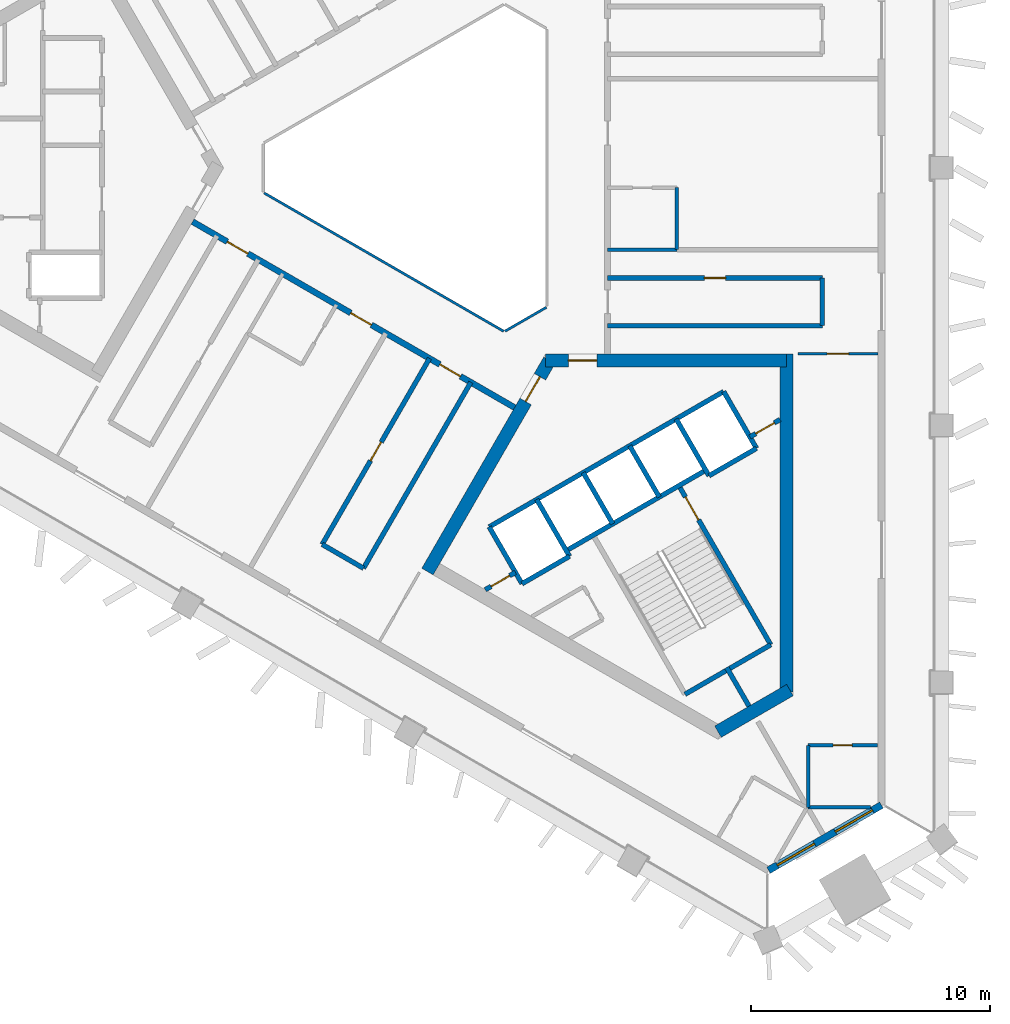
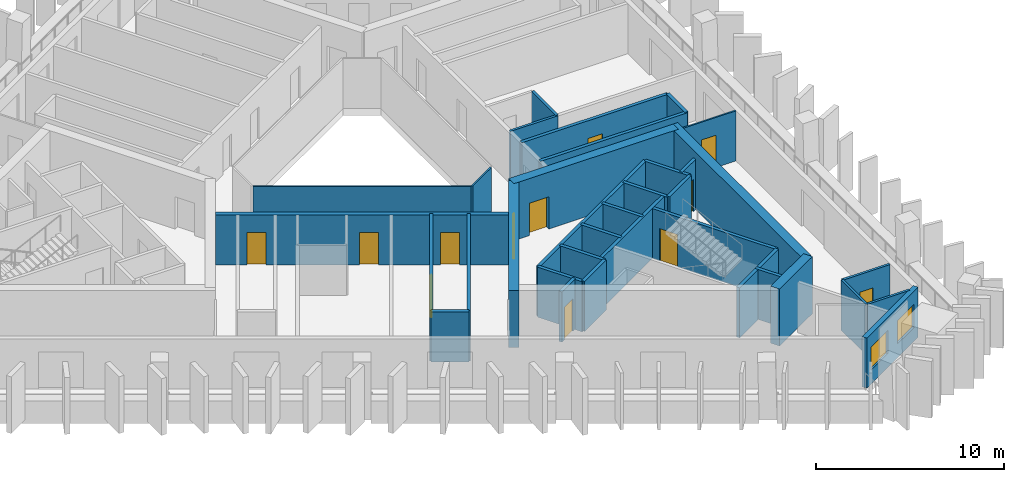
# One storey, part 3 of 10: 35 walls, 12 doors, 2 windows, 14 openings.
"""IFC4 building model written with IfcOpenShell, lengths in metres."""

from ifc_helpers import new_model, si_unit, direction, frame, frame_2d, origin, place, context, subcontext, project, spatial, rectangle, extrude, material, layer, layer_set, type_object, element, fill, save


model = new_model("IFC4")

# Units and contexts
model_context = context("Model", 3, precision=1e-05, world=origin(), true_north=direction((0.0, 1.0)))
body_context = subcontext(model_context, "Body", "Model", "MODEL_VIEW")
ifc_project = project(units=[si_unit("LENGTHUNIT", "METRE"), si_unit("AREAUNIT", "SQUARE_METRE"), si_unit("VOLUMEUNIT", "CUBIC_METRE"), si_unit("PLANEANGLEUNIT", "RADIAN"), si_unit("MASSUNIT", "GRAM", prefix="KILO")], contexts=[model_context])

# Site, building, storey
site_placement = place(None, origin())
site = spatial("IfcSite", under=ifc_project, at=site_placement, CompositionType="ELEMENT")
building_placement = place(site_placement, origin())
building = spatial("IfcBuilding", under=site, at=building_placement, Name="Jabali Bay Hotel Tower and Convention Centre", CompositionType="ELEMENT")
storey_placement = place(building_placement, frame((0.0, 0.0, 174.800048828125)))
storey = spatial("IfcBuildingStorey", under=building, at=storey_placement, Name="L42", CompositionType="ELEMENT", Elevation=174.800048828125)

# Walls
ifc_material_1 = material(Name="Fire-resistant glazing", Category="glass")
ifc_layer_1 = layer(ifc_material_1, 0.10009765625)
ifc_layer_set_1 = layer_set([ifc_layer_1], Name="Fire-resistant glazing")
wall_type_1 = type_object("IfcWallType", Name="Atrium glazed screen 100", PredefinedType="PARTITIONING", material=ifc_layer_set_1)
wall_1_placement = place(storey_placement, frame((67.7021484375, 78.947998046875, 0.0), z_axis=(0.0, 0.0, 1.0), x_axis=(0.866026658274, -0.499997827154, 0.0)))
element("IfcWall", 1, at=wall_1_placement, inside=storey, type_object=wall_type_1, Name="Atrium screen 5 L42", PredefinedType="PARTITIONING", context=body_context, shape_type="SweptSolid", body=[
    extrude(rectangle(XDim=11.58837890625, YDim=0.10009765625, at=frame_2d((5.794189453125, 0.0))), origin(), (0.0, 0.0, 1.0), 3.25),
])
wall_2_placement = place(storey_placement, frame((77.7978515625, 73.15380859375, 0.0), z_axis=(0.0, 0.0, 1.0), x_axis=(0.866041268327, 0.499972520799, 0.0)))
element("IfcWall", 2, at=wall_2_placement, inside=storey, type_object=wall_type_1, Name="Atrium screen 6 L42", PredefinedType="PARTITIONING", context=body_context, shape_type="SweptSolid", body=[
    extrude(rectangle(XDim=2.0, YDim=0.10009765625, at=frame_2d((1.0, 0.0))), origin(), (0.0, 0.0, 1.0), 3.25),
])
ifc_material_2 = material(Name="Concrete C40", Category="concrete")
ifc_layer_2 = layer(ifc_material_2, 0.199951171875)
ifc_layer_set_2 = layer_set([ifc_layer_2], Name="Concrete C40")
wall_type_2 = type_object("IfcWallType", Name="Core partition wall 200", PredefinedType="PARTITIONING", material=ifc_layer_set_2)
wall_3_placement = place(storey_placement, frame((87.090087890625, 59.0595703125, 0.0), z_axis=(0.0, 0.0, 1.0), x_axis=(0.499951854219, -0.86605319898, 0.0)))
element("IfcWall", 3, at=wall_3_placement, inside=storey, type_object=wall_type_2, Name="Core wall 2.5 L42", PredefinedType="PARTITIONING", context=body_context, shape_type="SweptSolid", body=[
    extrude(rectangle(XDim=1.873291015625, YDim=0.199951171875, at=frame_2d((0.9365234375, 0.0))), origin(), (0.0, 0.0, 1.0), 3.25),
])

# Wall, opening, door
wall_4_placement = place(storey_placement, frame((76.969970703125, 62.315673828125, 0.0), z_axis=(0.0, 0.0, 1.0), x_axis=(0.865982457891, 0.500074377092, 0.0)))
wall_4 = element("IfcWall", 4, at=wall_4_placement, inside=storey, type_object=wall_type_2, Name="Core wall 2.11 L42", PredefinedType="PARTITIONING", context=body_context, shape_type="SweptSolid", body=[
    extrude(rectangle(XDim=1.461181640625, YDim=0.199951171875, at=frame_2d((0.73046875, 0.0))), origin(), (0.0, 0.0, 1.0), 3.25),
])
opening_1_placement = place(wall_4_placement, frame((0.280517578125, 0.0, 0.0)))
opening_1 = element("IfcOpeningElement", 5, at=opening_1_placement, cuts=wall_4, Name="Opening D923", PredefinedType="OPENING", context=body_context, shape_type="SweptSolid", body=[
    extrude(rectangle(XDim=0.89990234375, YDim=2.10009765625, at=frame_2d((0.449951171875, 1.050048828125))), frame((0.0, 0.1103515625, 0.0), z_axis=(0.0, -1.0, 0.0), x_axis=(1.0, 0.0, 0.0)), (0.0, 0.0, 1.0), 0.220947265625),
])
ifc_material_3 = material(Name="Fire-rated steel door", Category="steel")
door_type_1 = type_object("IfcDoorType", Name="Vestibule fire door 900 x 2100", OperationType="NOTDEFINED", PredefinedType="NOTDEFINED", material=ifc_material_3)
door_1_placement = place(opening_1_placement, origin())
door_1 = element("IfcDoor", 6, at=door_1_placement, inside=storey, type_object=door_type_1, Name="Vestibule fire door D923", OperationType="SINGLE_SWING_LEFT", OverallHeight=2.10009765625, OverallWidth=0.89990234375, PredefinedType="NOTDEFINED", context=body_context, shape_type="SweptSolid", body=[
    extrude(rectangle(XDim=0.89990234375, YDim=2.10009765625, at=frame_2d((0.449951171875, 1.050048828125))), frame((0.0, 0.02490234375, 0.0), z_axis=(0.0, -1.0, 0.0), x_axis=(1.0, 0.0, 0.0)), (0.0, 0.0, 1.0), 0.050048828125),
])
fill(opening_1, door_1)

wall_5_placement = place(storey_placement, frame((88.064697265625, 68.72119140625, 0.0), z_axis=(0.0, 0.0, 1.0), x_axis=(0.865982457891, 0.500074377092, 0.0)))
wall_5 = element("IfcWall", 7, at=wall_5_placement, inside=storey, type_object=wall_type_2, Name="Core wall 2.12 L42", PredefinedType="PARTITIONING", context=body_context, shape_type="SweptSolid", body=[
    extrude(rectangle(XDim=1.461181640625, YDim=0.199951171875, at=frame_2d((0.73046875, 0.0))), origin(), (0.0, 0.0, 1.0), 3.25),
])
opening_2_placement = place(wall_5_placement, frame((0.280517578125, 0.0, 0.0)))
opening_2 = element("IfcOpeningElement", 8, at=opening_2_placement, cuts=wall_5, Name="Opening D922", PredefinedType="OPENING", context=body_context, shape_type="SweptSolid", body=[
    extrude(rectangle(XDim=0.89990234375, YDim=2.10009765625, at=frame_2d((0.449951171875, 1.050048828125))), frame((0.0, 0.1103515625, 0.0), z_axis=(0.0, -1.0, 0.0), x_axis=(1.0, 0.0, 0.0)), (0.0, 0.0, 1.0), 0.220947265625),
])
door_2_placement = place(opening_2_placement, origin())
door_2 = element("IfcDoor", 9, at=door_2_placement, inside=storey, type_object=door_type_1, Name="Vestibule fire door D922", OperationType="SINGLE_SWING_LEFT", OverallHeight=2.10009765625, OverallWidth=0.89990234375, PredefinedType="NOTDEFINED", context=body_context, shape_type="SweptSolid", body=[
    extrude(rectangle(XDim=0.89990234375, YDim=2.10009765625, at=frame_2d((0.449951171875, 1.050048828125))), frame((0.0, 0.02490234375, 0.0), z_axis=(0.0, -1.0, 0.0), x_axis=(1.0, 0.0, 0.0)), (0.0, 0.0, 1.0), 0.050048828125),
])
fill(opening_2, door_2)

# Walls
ifc_layer_3 = layer(ifc_material_2, 0.199951171875)
ifc_layer_set_3 = layer_set([ifc_layer_3], Name="Concrete C40")
wall_type_3 = type_object("IfcWallType", Name="Core stair wall 200", PredefinedType="SOLIDWALL", material=ifc_layer_set_3)
for number, where, z_axis, x_axis, name in (
    (10, (77.13525390625, 64.95166015625, 0.0), (0.0, 0.0, 1.0), (0.499996545922, -0.866027397988, 0.0), "Core wall 2.0 L42"),
    (11, (79.127197265625, 66.1015625, 0.0), (0.0, 0.0, 1.0), (0.499996545922, -0.866027397988, 0.0), "Core wall 2.2 L42"),
):
    element("IfcWall", number, at=place(storey_placement, frame(where, z_axis=z_axis, x_axis=x_axis)), inside=storey, type_object=wall_type_3, Name=name, PredefinedType="SOLIDWALL", context=body_context, shape_type="SweptSolid", body=[
        extrude(rectangle(XDim=2.75, YDim=0.199951171875, at=frame_2d((1.375, 0.0))), origin(), (0.0, 0.0, 1.0), 3.25),
    ])
for number, where, z_axis, x_axis, name in (
    (12, (81.07568359375, 67.2265625, 0.0), (0.0, 0.0, 1.0), (0.50000366821, -0.866023285932, 0.0), "Core wall 2.4 L42"),
    (13, (83.024169921875, 68.3515625, 0.0), (0.0, 0.0, 1.0), (0.50000366821, -0.866023285932, 0.0), "Core wall 2.6 L42"),
):
    element("IfcWall", number, at=place(storey_placement, frame(where, z_axis=z_axis, x_axis=x_axis)), inside=storey, type_object=wall_type_3, Name=name, PredefinedType="SOLIDWALL", context=body_context, shape_type="SweptSolid", body=[
        extrude(rectangle(XDim=2.47998046875, YDim=0.199951171875, at=frame_2d((1.239990234375, 0.0))), origin(), (0.0, 0.0, 1.0), 3.25),
    ])

# Wall, opening, door
wall_6_placement = place(storey_placement, frame((85.0869140625, 66.6787109375, 0.0), z_axis=(0.0, 0.0, 1.0), x_axis=(0.500019787375, -0.866013979237, 0.0)))
wall_6 = element("IfcWall", 14, at=wall_6_placement, inside=storey, type_object=wall_type_3, Name="Core wall 2.7 L42", PredefinedType="SOLIDWALL", context=body_context, shape_type="SweptSolid", body=[
    extrude(rectangle(XDim=7.699951171875, YDim=0.199951171875, at=frame_2d((3.85009765625, 0.0))), origin(), (0.0, 0.0, 1.0), 3.25),
])
opening_3_placement = place(wall_6_placement, frame((0.550048828125, 0.0, 0.0)))
opening_3 = element("IfcOpeningElement", 15, at=opening_3_placement, cuts=wall_6, Name="Opening D924", PredefinedType="OPENING", context=body_context, shape_type="SweptSolid", body=[
    extrude(rectangle(XDim=1.10009765625, YDim=2.10009765625, at=frame_2d((0.550048828125, 1.050048828125))), frame((0.0, 0.1103515625, 0.0), z_axis=(0.0, -1.0, 0.0), x_axis=(1.0, 0.0, 0.0)), (0.0, 0.0, 1.0), 0.220947265625),
])
door_type_2 = type_object("IfcDoorType", Name="Stair fire door 1100 x 2100", OperationType="NOTDEFINED", PredefinedType="NOTDEFINED", material=ifc_material_3)
door_3_placement = place(opening_3_placement, origin())
door_3 = element("IfcDoor", 16, at=door_3_placement, inside=storey, type_object=door_type_2, Name="Stair fire door D924", OperationType="SINGLE_SWING_RIGHT", OverallHeight=2.10009765625, OverallWidth=1.10009765625, PredefinedType="NOTDEFINED", context=body_context, shape_type="SweptSolid", body=[
    extrude(rectangle(XDim=1.10009765625, YDim=2.10009765625, at=frame_2d((0.550048828125, 1.050048828125))), frame((0.0, 0.02490234375, 0.0), z_axis=(0.0, -1.0, 0.0), x_axis=(1.0, 0.0, 0.0)), (0.0, 0.0, 1.0), 0.050048828125),
])
fill(opening_3, door_3)

# Walls
for number, where, z_axis, x_axis, name in (
    (17, (84.972900390625, 69.4765625, 0.0), (0.0, 0.0, 1.0), (0.499996545922, -0.866027397988, 0.0), "Core wall 2.8 L42"),
    (18, (86.964599609375, 70.62646484375, 0.0), (0.0, 0.0, 1.0), (0.499996545922, -0.866027397988, 0.0), "Core wall 2.9 L42"),
):
    element("IfcWall", number, at=place(storey_placement, frame(where, z_axis=z_axis, x_axis=x_axis)), inside=storey, type_object=wall_type_3, Name=name, PredefinedType="SOLIDWALL", context=body_context, shape_type="SweptSolid", body=[
        extrude(rectangle(XDim=2.75, YDim=0.199951171875, at=frame_2d((1.375, 0.0))), origin(), (0.0, 0.0, 1.0), 3.25),
    ])
wall_7_placement = place(storey_placement, frame((77.13525390625, 64.95166015625, 0.0), z_axis=(0.0, 0.0, 1.0), x_axis=(0.866031916153, 0.499988720078, 0.0)))
element("IfcWall", 19, at=wall_7_placement, inside=storey, type_object=wall_type_3, Name="Core wall 2.10 L42", PredefinedType="SOLIDWALL", context=body_context, shape_type="SweptSolid", body=[
    extrude(rectangle(XDim=11.349853515625, YDim=0.199951171875, at=frame_2d((5.6748046875, 0.0))), origin(), (0.0, 0.0, 1.0), 3.25),
])
wall_8_placement = place(storey_placement, frame((80.3671875, 63.953857421875, 0.0), z_axis=(0.0, 0.0, 1.0), x_axis=(0.866026575979, 0.499997969693, 0.0)))
element("IfcWall", 20, at=wall_8_placement, inside=storey, type_object=wall_type_3, Name="Core wall 2.13 L42", PredefinedType="SOLIDWALL", context=body_context, shape_type="SweptSolid", body=[
    extrude(rectangle(XDim=6.75, YDim=0.199951171875, at=frame_2d((3.375, 0.0))), origin(), (0.0, 0.0, 1.0), 3.25),
])
wall_9_placement = place(storey_placement, frame((78.51025390625, 62.570068359375, 0.0), z_axis=(0.0, 0.0, 1.0), x_axis=(0.866053019151, 0.499952165731, 0.0)))
element("IfcWall", 21, at=wall_9_placement, inside=storey, type_object=wall_type_3, Name="Core wall 2.14 L42", PredefinedType="SOLIDWALL", context=body_context, shape_type="SweptSolid", body=[
    extrude(rectangle(XDim=2.300048828125, YDim=0.199951171875, at=frame_2d((1.14990234375, 0.0))), origin(), (0.0, 0.0, 1.0), 3.25),
])
wall_10_placement = place(storey_placement, frame((86.347900390625, 67.094970703125, 0.0), z_axis=(0.0, 0.0, 1.0), x_axis=(0.86602648383, 0.499998129301, 0.0)))
element("IfcWall", 22, at=wall_10_placement, inside=storey, type_object=wall_type_3, Name="Core wall 2.15 L42", PredefinedType="SOLIDWALL", context=body_context, shape_type="SweptSolid", body=[
    extrude(rectangle(XDim=2.2998046875, YDim=0.199951171875, at=frame_2d((1.14990234375, 0.0))), origin(), (0.0, 0.0, 1.0), 3.25),
])
wall_11_placement = place(storey_placement, frame((85.343017578125, 57.935302734375, 0.0), z_axis=(0.0, 0.0, 1.0), x_axis=(0.866004344652, 0.500036473714, 0.0)))
element("IfcWall", 23, at=wall_11_placement, inside=storey, type_object=wall_type_3, Name="Core wall 2.18 L42", PredefinedType="SOLIDWALL", context=body_context, shape_type="SweptSolid", body=[
    extrude(rectangle(XDim=4.150146484375, YDim=0.199951171875, at=frame_2d((2.0751953125, 0.0))), origin(), (0.0, 0.0, 1.0), 3.25),
])

# Wall, opening, door
ifc_material_4 = material(Name="Concrete C60", Category="concrete")
ifc_layer_4 = layer(ifc_material_4, 0.550048828125)
ifc_layer_set_4 = layer_set([ifc_layer_4], Name="Concrete C60")
wall_type_4 = type_object("IfcWallType", Name="Core wall 550", PredefinedType="SHEAR", material=ifc_layer_set_4)
wall_12_placement = place(storey_placement, frame((79.65869140625, 71.9306640625, 0.0), z_axis=(0.0, 0.0, 1.0), x_axis=(-0.500000202252, -0.866025287014, 0.0)))
wall_12 = element("IfcWall", 24, at=wall_12_placement, inside=storey, type_object=wall_type_4, Name="Core wall 3.1 L42", PredefinedType="SHEAR", context=body_context, shape_type="SweptSolid", body=[
    extrude(rectangle(XDim=10.22119140625, YDim=0.550048828125, at=frame_2d((5.110595703125, 0.0))), origin(), (0.0, 0.0, 1.0), 3.699951171875),
])
opening_4_placement = place(wall_12_placement, frame((0.791259765625, 0.0, 0.0)))
opening_4 = element("IfcOpeningElement", 25, at=opening_4_placement, cuts=wall_12, Name="Opening D920", PredefinedType="OPENING", context=body_context, shape_type="SweptSolid", body=[
    extrude(rectangle(XDim=1.199951171875, YDim=2.10009765625, at=frame_2d((0.60009765625, 1.050048828125))), frame((0.0, 0.28564453125, 0.0), z_axis=(0.0, -1.0, 0.0), x_axis=(1.0, 0.0, 0.0)), (0.0, 0.0, 1.0), 0.571044921875),
])
door_type_3 = type_object("IfcDoorType", Name="Corridor end fire door 1200 x 2100", OperationType="NOTDEFINED", PredefinedType="NOTDEFINED", material=ifc_material_3)
door_4_placement = place(opening_4_placement, origin())
door_4 = element("IfcDoor", 26, at=door_4_placement, inside=storey, type_object=door_type_3, Name="Corridor end fire door D920", OperationType="SINGLE_SWING_RIGHT", OverallHeight=2.10009765625, OverallWidth=1.199951171875, PredefinedType="NOTDEFINED", context=body_context, shape_type="SweptSolid", body=[
    extrude(rectangle(XDim=1.199951171875, YDim=2.10009765625, at=frame_2d((0.60009765625, 1.050048828125))), frame((0.0, 0.02490234375, 0.0), z_axis=(0.0, -1.0, 0.0), x_axis=(1.0, 0.0, 0.0)), (0.0, 0.0, 1.0), 0.050048828125),
])
fill(opening_4, door_4)

# Walls
wall_13_placement = place(storey_placement, frame((86.72314453125, 56.3671875, 0.0), z_axis=(0.0, 0.0, 1.0), x_axis=(0.865997833373, 0.500047750313, 0.0)))
element("IfcWall", 27, at=wall_13_placement, inside=storey, type_object=wall_type_4, Name="Core wall 3.3 L42", PredefinedType="SHEAR", context=body_context, shape_type="SweptSolid", body=[
    extrude(rectangle(XDim=3.486572265625, YDim=0.550048828125, at=frame_2d((1.7431640625, 0.0))), origin(), (0.0, 0.0, 1.0), 3.699951171875),
])
wall_14_placement = place(storey_placement, frame((89.60498046875, 58.03125, 0.0), z_axis=(0.0, 0.0, 1.0), x_axis=(0.0, 1.0, 0.0)))
element("IfcWall", 28, at=wall_14_placement, inside=storey, type_object=wall_type_4, Name="Core wall 3.4 L42", PredefinedType="SHEAR", context=body_context, shape_type="SweptSolid", body=[
    extrude(rectangle(XDim=14.174560546875, YDim=0.550048828125, at=frame_2d((7.08740234375, 0.0))), origin(), (0.0, 0.0, 1.0), 3.699951171875),
])

# Wall, opening, door
wall_15_placement = place(storey_placement, frame((89.60498046875, 71.9306640625, 0.0), z_axis=(0.0, 0.0, 1.0), x_axis=(-1.0, 0.0, 0.0)))
wall_15 = element("IfcWall", 29, at=wall_15_placement, inside=storey, type_object=wall_type_4, Name="Core wall 3.5 L42", PredefinedType="SHEAR", context=body_context, shape_type="SweptSolid", body=[
    extrude(rectangle(XDim=10.10498046875, YDim=0.550048828125, at=frame_2d((5.052490234375, 0.0))), origin(), (0.0, 0.0, 1.0), 3.699951171875),
])
opening_5_placement = place(wall_15_placement, frame((7.955078125, 0.0, 0.0)))
opening_5 = element("IfcOpeningElement", 30, at=opening_5_placement, cuts=wall_15, Name="Opening D921", PredefinedType="OPENING", context=body_context, shape_type="SweptSolid", body=[
    extrude(rectangle(XDim=1.199951171875, YDim=2.10009765625, at=frame_2d((0.60009765625, 1.050048828125))), frame((0.0, 0.28564453125, 0.0), z_axis=(0.0, -1.0, 0.0), x_axis=(1.0, 0.0, 0.0)), (0.0, 0.0, 1.0), 0.571044921875),
])
door_5_placement = place(opening_5_placement, origin())
door_5 = element("IfcDoor", 31, at=door_5_placement, inside=storey, type_object=door_type_3, Name="Corridor end fire door D921", OperationType="SINGLE_SWING_LEFT", OverallHeight=2.10009765625, OverallWidth=1.199951171875, PredefinedType="NOTDEFINED", context=body_context, shape_type="SweptSolid", body=[
    extrude(rectangle(XDim=1.199951171875, YDim=2.10009765625, at=frame_2d((0.60009765625, 1.050048828125))), frame((0.0, 0.02490234375, 0.0), z_axis=(0.0, -1.0, 0.0), x_axis=(1.0, 0.0, 0.0)), (0.0, 0.0, 1.0), 0.050048828125),
])
fill(opening_5, door_5)

# Wall, openings, doors
ifc_layer_5 = layer(ifc_material_4, 0.25)
ifc_layer_set_5 = layer_set([ifc_layer_5], Name="Concrete C60")
wall_type_5 = type_object("IfcWallType", Name="Corridor wall 250", PredefinedType="SHEAR", material=ifc_layer_set_5)
wall_16_placement = place(storey_placement, frame((64.699951171875, 77.748291015625, 0.0), z_axis=(0.0, 0.0, 1.0), x_axis=(0.866026492143, -0.499998114903, 0.0)))
wall_16 = element("IfcWall", 32, at=wall_16_placement, inside=storey, type_object=wall_type_5, Name="Corridor wall 3 L42", PredefinedType="SHEAR", context=body_context, shape_type="SweptSolid", body=[
    extrude(rectangle(XDim=15.58837890625, YDim=0.25, at=frame_2d((7.794189453125, 0.0))), origin(), (0.0, 0.0, 1.0), 3.25),
])
opening_6_placement = place(wall_16_placement, frame((1.682373046875, 0.0, 0.0)))
opening_6 = element("IfcOpeningElement", 33, at=opening_6_placement, cuts=wall_16, Name="Opening 4221", PredefinedType="OPENING", context=body_context, shape_type="SweptSolid", body=[
    extrude(rectangle(XDim=1.0, YDim=2.10009765625, at=frame_2d((0.5, 1.050048828125))), frame((0.0, 0.135498046875, 0.0), z_axis=(0.0, -1.0, 0.0), x_axis=(1.0, 0.0, 0.0)), (0.0, 0.0, 1.0), 0.27099609375),
])
opening_7_placement = place(wall_16_placement, frame((7.658935546875, 0.0, 0.0)))
opening_7 = element("IfcOpeningElement", 34, at=opening_7_placement, cuts=wall_16, Name="Opening 4226", PredefinedType="OPENING", context=body_context, shape_type="SweptSolid", body=[
    extrude(rectangle(XDim=1.0, YDim=2.10009765625, at=frame_2d((0.5, 1.050048828125))), frame((0.0, 0.135498046875, 0.0), z_axis=(0.0, -1.0, 0.0), x_axis=(1.0, 0.0, 0.0)), (0.0, 0.0, 1.0), 0.27099609375),
])
opening_8_placement = place(wall_16_placement, frame((11.970703125, 0.0, 0.0)))
opening_8 = element("IfcOpeningElement", 35, at=opening_8_placement, cuts=wall_16, Name="Opening 4227", PredefinedType="OPENING", context=body_context, shape_type="SweptSolid", body=[
    extrude(rectangle(XDim=1.0, YDim=2.10009765625, at=frame_2d((0.5, 1.050048828125))), frame((0.0, 0.135498046875, 0.0), z_axis=(0.0, -1.0, 0.0), x_axis=(1.0, 0.0, 0.0)), (0.0, 0.0, 1.0), 0.27099609375),
])
ifc_material_5 = material(Name="Timber", Category="wood")
door_type_4 = type_object("IfcDoorType", Name="Guest room door 1000 x 2100", OperationType="NOTDEFINED", PredefinedType="NOTDEFINED", material=ifc_material_5)
door_6_placement = place(opening_6_placement, origin())
door_6 = element("IfcDoor", 36, at=door_6_placement, inside=storey, type_object=door_type_4, Name="Door 4221", OperationType="SINGLE_SWING_LEFT", OverallHeight=2.10009765625, OverallWidth=1.0, PredefinedType="NOTDEFINED", context=body_context, shape_type="SweptSolid", body=[
    extrude(rectangle(XDim=1.0, YDim=2.10009765625, at=frame_2d((0.5, 1.050048828125))), frame((0.0, 0.02490234375, 0.0), z_axis=(0.0, -1.0, 0.0), x_axis=(1.0, 0.0, 0.0)), (0.0, 0.0, 1.0), 0.050048828125),
])
fill(opening_6, door_6)
door_7_placement = place(opening_7_placement, origin())
door_7 = element("IfcDoor", 37, at=door_7_placement, inside=storey, type_object=door_type_4, Name="Door 4226", OperationType="SINGLE_SWING_RIGHT", OverallHeight=2.10009765625, OverallWidth=1.0, PredefinedType="NOTDEFINED", context=body_context, shape_type="SweptSolid", body=[
    extrude(rectangle(XDim=1.0, YDim=2.10009765625, at=frame_2d((0.5, 1.050048828125))), frame((0.0, 0.02490234375, 0.0), z_axis=(0.0, -1.0, 0.0), x_axis=(1.0, 0.0, 0.0)), (0.0, 0.0, 1.0), 0.050048828125),
])
fill(opening_7, door_7)
door_8_placement = place(opening_8_placement, origin())
door_8 = element("IfcDoor", 38, at=door_8_placement, inside=storey, type_object=door_type_4, Name="Door 4227", OperationType="SINGLE_SWING_RIGHT", OverallHeight=2.10009765625, OverallWidth=1.0, PredefinedType="NOTDEFINED", context=body_context, shape_type="SweptSolid", body=[
    extrude(rectangle(XDim=1.0, YDim=2.10009765625, at=frame_2d((0.5, 1.050048828125))), frame((0.0, 0.02490234375, 0.0), z_axis=(0.0, -1.0, 0.0), x_axis=(1.0, 0.0, 0.0)), (0.0, 0.0, 1.0), 0.050048828125),
])
fill(opening_8, door_8)

# Wall, openings, windows
ifc_layer_6 = layer(ifc_material_2, 0.300048828125)
ifc_layer_set_6 = layer_set([ifc_layer_6], Name="Concrete C40")
wall_type_6 = type_object("IfcWallType", Name="External wall 300", PredefinedType="SOLIDWALL", material=ifc_layer_set_6)
wall_17_placement = place(storey_placement, frame((93.57666015625, 53.289794921875, 0.0), z_axis=(0.0, 0.0, 1.0), x_axis=(-0.866027138233, -0.499996995835, 0.0)))
wall_17 = element("IfcWall", 39, at=wall_17_placement, inside=storey, type_object=wall_type_6, Name="External wall south-east chamfer L42", PredefinedType="SOLIDWALL", context=body_context, shape_type="SweptSolid", body=[
    extrude(rectangle(XDim=5.46533203125, YDim=0.300048828125, at=frame_2d((2.732666015625, 0.0))), origin(), (0.0, 0.0, 1.0), 3.25),
])
opening_9_placement = place(wall_17_placement, frame((0.43212890625, 0.0, 0.89990234375)))
opening_9 = element("IfcOpeningElement", 40, at=opening_9_placement, cuts=wall_17, Name="Opening W1", PredefinedType="OPENING", context=body_context, shape_type="SweptSolid", body=[
    extrude(rectangle(XDim=1.800048828125, YDim=1.5, at=frame_2d((0.89990234375, 0.75))), frame((0.0, 0.16064453125, 0.0), z_axis=(0.0, -1.0, 0.0), x_axis=(1.0, 0.0, 0.0)), (0.0, 0.0, 1.0), 0.321044921875),
])
opening_10_placement = place(wall_17_placement, frame((3.23876953125, 0.0, 0.89990234375)))
opening_10 = element("IfcOpeningElement", 41, at=opening_10_placement, cuts=wall_17, Name="Opening W1", PredefinedType="OPENING", context=body_context, shape_type="SweptSolid", body=[
    extrude(rectangle(XDim=1.800048828125, YDim=1.5, at=frame_2d((0.89990234375, 0.75))), frame((0.0, 0.16064453125, 0.0), z_axis=(0.0, -1.0, 0.0), x_axis=(1.0, 0.0, 0.0)), (0.0, 0.0, 1.0), 0.321044921875),
])
ifc_material_6 = material(Name="Glass", Category="glass")
window_type = type_object("IfcWindowType", Name="Window 1800 x 1500", PartitioningType="SINGLE_PANEL", PredefinedType="WINDOW", material=ifc_material_6)
window_1_placement = place(opening_9_placement, origin())
window_1 = element("IfcWindow", 42, at=window_1_placement, inside=storey, type_object=window_type, Name="Window 4201", OverallHeight=1.5, OverallWidth=1.800048828125, PartitioningType="SINGLE_PANEL", PredefinedType="WINDOW", context=body_context, shape_type="SweptSolid", body=[
    extrude(rectangle(XDim=1.800048828125, YDim=1.5, at=frame_2d((0.89990234375, 0.75))), frame((0.0, 0.030029296875, 0.0), z_axis=(0.0, -1.0, 0.0), x_axis=(1.0, 0.0, 0.0)), (0.0, 0.0, 1.0), 0.06005859375),
])
fill(opening_9, window_1)
window_2_placement = place(opening_10_placement, origin())
window_2 = element("IfcWindow", 43, at=window_2_placement, inside=storey, type_object=window_type, Name="Window 4215", OverallHeight=1.5, OverallWidth=1.800048828125, PartitioningType="SINGLE_PANEL", PredefinedType="WINDOW", context=body_context, shape_type="SweptSolid", body=[
    extrude(rectangle(XDim=1.800048828125, YDim=1.5, at=frame_2d((0.89990234375, 0.75))), frame((0.0, 0.030029296875, 0.0), z_axis=(0.0, -1.0, 0.0), x_axis=(1.0, 0.0, 0.0)), (0.0, 0.0, 1.0), 0.06005859375),
])
fill(opening_10, window_2)

# Wall, opening, door
ifc_material_7 = material(Name="Plasterboard on steel stud", Category="steel")
ifc_layer_7 = layer(ifc_material_7, 0.10009765625)
ifc_layer_set_7 = layer_set([ifc_layer_7], Name="Plasterboard on steel stud")
wall_type_7 = type_object("IfcWallType", Name="Partition 100 unit", PredefinedType="PARTITIONING", material=ifc_layer_set_7)
wall_18_placement = place(storey_placement, frame((90.0791015625, 72.205810546875, 0.0), z_axis=(0.0, 0.0, 1.0), x_axis=(1.0, 0.0, 0.0)))
wall_18 = element("IfcWall", 44, at=wall_18_placement, inside=storey, type_object=wall_type_7, Name="Partition P02 L42 001", PredefinedType="PARTITIONING", context=body_context, shape_type="SweptSolid", body=[
    extrude(rectangle(XDim=3.3486328125, YDim=0.10009765625, at=frame_2d((1.67431640625, 0.0))), origin(), (0.0, 0.0, 1.0), 3.25),
])
opening_11_placement = place(wall_18_placement, frame((1.22412109375, 0.0, 0.0)))
opening_11 = element("IfcOpeningElement", 45, at=opening_11_placement, cuts=wall_18, Name="Opening 4202", PredefinedType="OPENING", context=body_context, shape_type="SweptSolid", body=[
    extrude(rectangle(XDim=0.89990234375, YDim=2.10009765625, at=frame_2d((0.449951171875, 1.050048828125))), frame((0.0, 0.060546875, 0.0), z_axis=(0.0, -1.0, 0.0), x_axis=(1.0, 0.0, 0.0)), (0.0, 0.0, 1.0), 0.12109375),
])
door_type_5 = type_object("IfcDoorType", Name="Internal door 900 x 2100", OperationType="NOTDEFINED", PredefinedType="NOTDEFINED", material=ifc_material_5)
door_9_placement = place(opening_11_placement, origin())
door_9 = element("IfcDoor", 46, at=door_9_placement, inside=storey, type_object=door_type_5, Name="Door 4202", OperationType="SINGLE_SWING_LEFT", OverallHeight=2.10009765625, OverallWidth=0.89990234375, PredefinedType="NOTDEFINED", context=body_context, shape_type="SweptSolid", body=[
    extrude(rectangle(XDim=0.89990234375, YDim=2.10009765625, at=frame_2d((0.449951171875, 1.050048828125))), frame((0.0, 0.02490234375, 0.0), z_axis=(0.0, -1.0, 0.0), x_axis=(1.0, 0.0, 0.0)), (0.0, 0.0, 1.0), 0.050048828125),
])
fill(opening_11, door_9)

# Walls
ifc_layer_8 = layer(ifc_material_7, 0.14990234375)
ifc_layer_set_8 = layer_set([ifc_layer_8], Name="Plasterboard on steel stud")
wall_type_8 = type_object("IfcWallType", Name="Partition 150 wet", PredefinedType="PARTITIONING", material=ifc_layer_set_8)
wall_19_placement = place(storey_placement, frame((85.0, 76.570556640625, 0.0), z_axis=(0.0, 0.0, 1.0), x_axis=(-1.0, 0.0, 0.0)))
element("IfcWall", 47, at=wall_19_placement, inside=storey, type_object=wall_type_8, Name="Partition P03 L42 006", PredefinedType="PARTITIONING", context=body_context, shape_type="SweptSolid", body=[
    extrude(rectangle(XDim=2.89990234375, YDim=0.14990234375, at=frame_2d((1.449951171875, 0.0))), origin(), (0.0, 0.0, 1.0), 3.25),
])
wall_20_placement = place(storey_placement, frame((93.126953125, 53.202392578125, 0.0), z_axis=(0.0, 0.0, 1.0), x_axis=(-0.999994396862, -0.003347572837, 0.0)))
element("IfcWall", 48, at=wall_20_placement, inside=storey, type_object=wall_type_8, Name="Partition P03 L42 007", PredefinedType="PARTITIONING", context=body_context, shape_type="SweptSolid", body=[
    extrude(rectangle(XDim=2.62548828125, YDim=0.14990234375, at=frame_2d((1.312744140625, 0.0))), origin(), (0.0, 0.0, 1.0), 3.25),
])
wall_21_placement = place(storey_placement, frame((90.50146484375, 53.193603515625, 0.0), z_axis=(0.0, 0.0, 1.0), x_axis=(0.0, 1.0, 0.0)))
element("IfcWall", 49, at=wall_21_placement, inside=storey, type_object=wall_type_8, Name="Partition P03 L42 008", PredefinedType="PARTITIONING", context=body_context, shape_type="SweptSolid", body=[
    extrude(rectangle(XDim=2.599853515625, YDim=0.14990234375, at=frame_2d((1.2998046875, 0.0))), origin(), (0.0, 0.0, 1.0), 3.25),
])

# Wall, opening, door
wall_22_placement = place(storey_placement, frame((90.50146484375, 55.79345703125, 0.0), z_axis=(0.0, 0.0, 1.0), x_axis=(1.0, 0.0, 0.0)))
wall_22 = element("IfcWall", 50, at=wall_22_placement, inside=storey, type_object=wall_type_8, Name="Partition P03 L42 009", PredefinedType="PARTITIONING", context=body_context, shape_type="SweptSolid", body=[
    extrude(rectangle(XDim=2.900146484375, YDim=0.14990234375, at=frame_2d((1.4501953125, 0.0))), origin(), (0.0, 0.0, 1.0), 3.25),
])
opening_12_placement = place(wall_22_placement, frame((1.050048828125, 0.0, 0.0)))
opening_12 = element("IfcOpeningElement", 51, at=opening_12_placement, cuts=wall_22, Name="Opening 4203", PredefinedType="OPENING", context=body_context, shape_type="SweptSolid", body=[
    extrude(rectangle(XDim=0.800048828125, YDim=2.10009765625, at=frame_2d((0.39990234375, 1.050048828125))), frame((0.0, 0.08544921875, 0.0), z_axis=(0.0, -1.0, 0.0), x_axis=(1.0, 0.0, 0.0)), (0.0, 0.0, 1.0), 0.1708984375),
])
door_type_6 = type_object("IfcDoorType", Name="En-suite door 800 x 2100", OperationType="NOTDEFINED", PredefinedType="NOTDEFINED", material=ifc_material_5)
door_10_placement = place(opening_12_placement, origin())
door_10 = element("IfcDoor", 52, at=door_10_placement, inside=storey, type_object=door_type_6, Name="Door 4203", OperationType="SINGLE_SWING_RIGHT", OverallHeight=2.10009765625, OverallWidth=0.800048828125, PredefinedType="NOTDEFINED", context=body_context, shape_type="SweptSolid", body=[
    extrude(rectangle(XDim=0.800048828125, YDim=2.10009765625, at=frame_2d((0.39990234375, 1.050048828125))), frame((0.0, 0.02490234375, 0.0), z_axis=(0.0, -1.0, 0.0), x_axis=(1.0, 0.0, 0.0)), (0.0, 0.0, 1.0), 0.050048828125),
])
fill(opening_12, door_10)

# Wall
wall_23_placement = place(storey_placement, frame((85.0, 79.170654296875, 0.0), z_axis=(0.0, 0.0, 1.0), x_axis=(0.0, -1.0, 0.0)))
element("IfcWall", 53, at=wall_23_placement, inside=storey, type_object=wall_type_8, Name="Partition P03 L42 012", PredefinedType="PARTITIONING", context=body_context, shape_type="SweptSolid", body=[
    extrude(rectangle(XDim=2.60009765625, YDim=0.14990234375, at=frame_2d((1.300048828125, 0.0))), origin(), (0.0, 0.0, 1.0), 3.25),
])

# Wall, opening, door
ifc_layer_9 = layer(ifc_material_7, 0.199951171875)
ifc_layer_set_9 = layer_set([ifc_layer_9], Name="Plasterboard on steel stud")
wall_type_9 = type_object("IfcWallType", Name="Partition 200 party", PredefinedType="PARTITIONING", material=ifc_layer_set_9)
wall_24_placement = place(storey_placement, frame((82.10009765625, 75.38818359375, 0.0), z_axis=(0.0, 0.0, 1.0), x_axis=(1.0, 0.0, 0.0)))
wall_24 = element("IfcWall", 54, at=wall_24_placement, inside=storey, type_object=wall_type_9, Name="Partition P01 L42 002", PredefinedType="PARTITIONING", context=body_context, shape_type="SweptSolid", body=[
    extrude(rectangle(XDim=9.0, YDim=0.199951171875, at=frame_2d((4.5, 0.0))), origin(), (0.0, 0.0, 1.0), 3.25),
])
opening_13_placement = place(wall_24_placement, frame((4.050048828125, 0.0, 0.0)))
opening_13 = element("IfcOpeningElement", 55, at=opening_13_placement, cuts=wall_24, Name="Opening 4204", PredefinedType="OPENING", context=body_context, shape_type="SweptSolid", body=[
    extrude(rectangle(XDim=0.89990234375, YDim=2.10009765625, at=frame_2d((0.449951171875, 1.050048828125))), frame((0.0, 0.1103515625, 0.0), z_axis=(0.0, -1.0, 0.0), x_axis=(1.0, 0.0, 0.0)), (0.0, 0.0, 1.0), 0.220947265625),
])
door_11_placement = place(opening_13_placement, origin())
door_11 = element("IfcDoor", 56, at=door_11_placement, inside=storey, type_object=door_type_5, Name="Door 4204", OperationType="SINGLE_SWING_RIGHT", OverallHeight=2.10009765625, OverallWidth=0.89990234375, PredefinedType="NOTDEFINED", context=body_context, shape_type="SweptSolid", body=[
    extrude(rectangle(XDim=0.89990234375, YDim=2.10009765625, at=frame_2d((0.449951171875, 1.050048828125))), frame((0.0, 0.02490234375, 0.0), z_axis=(0.0, -1.0, 0.0), x_axis=(1.0, 0.0, 0.0)), (0.0, 0.0, 1.0), 0.050048828125),
])
fill(opening_13, door_11)

# Walls
wall_25_placement = place(storey_placement, frame((91.10009765625, 75.38818359375, 0.0), z_axis=(0.0, 0.0, 1.0), x_axis=(0.0, -1.0, 0.0)))
element("IfcWall", 57, at=wall_25_placement, inside=storey, type_object=wall_type_9, Name="Partition P01 L42 003", PredefinedType="PARTITIONING", context=body_context, shape_type="SweptSolid", body=[
    extrude(rectangle(XDim=2.0, YDim=0.199951171875, at=frame_2d((1.0, 0.0))), origin(), (0.0, 0.0, 1.0), 3.25),
])
for number, where, z_axis, x_axis, name in (
    (58, (91.10009765625, 73.38818359375, 0.0), (0.0, 0.0, 1.0), (-1.0, 0.0, 0.0), "Partition P01 L42 004"),
    (59, (76.365966796875, 71.012939453125, 0.0), (0.0, 0.0, 1.0), (-0.5000018851, -0.866024315419, 0.0), "Partition P01 L42 053"),
):
    element("IfcWall", number, at=place(storey_placement, frame(where, z_axis=z_axis, x_axis=x_axis)), inside=storey, type_object=wall_type_9, Name=name, PredefinedType="PARTITIONING", context=body_context, shape_type="SweptSolid", body=[
        extrude(rectangle(XDim=9.0, YDim=0.199951171875, at=frame_2d((4.5, 0.0))), origin(), (0.0, 0.0, 1.0), 3.25),
    ])
wall_26_placement = place(storey_placement, frame((71.865966796875, 63.21875, 0.0), z_axis=(0.0, 0.0, 1.0), x_axis=(-0.866010750942, 0.50002537861, 0.0)))
element("IfcWall", 60, at=wall_26_placement, inside=storey, type_object=wall_type_9, Name="Partition P01 L42 054", PredefinedType="PARTITIONING", context=body_context, shape_type="SweptSolid", body=[
    extrude(rectangle(XDim=2.0, YDim=0.199951171875, at=frame_2d((1.0, 0.0))), origin(), (0.0, 0.0, 1.0), 3.25),
])

# Wall, opening, door
wall_27_placement = place(storey_placement, frame((70.134033203125, 64.21875, 0.0), z_axis=(0.0, 0.0, 1.0), x_axis=(0.5000018851, 0.866024315419, 0.0)))
wall_27 = element("IfcWall", 61, at=wall_27_placement, inside=storey, type_object=wall_type_9, Name="Partition P01 L42 055", PredefinedType="PARTITIONING", context=body_context, shape_type="SweptSolid", body=[
    extrude(rectangle(XDim=9.0, YDim=0.199951171875, at=frame_2d((4.5, 0.0))), origin(), (0.0, 0.0, 1.0), 3.25),
])
opening_14_placement = place(wall_27_placement, frame((4.050048828125, 0.0, 0.0)))
opening_14 = element("IfcOpeningElement", 62, at=opening_14_placement, cuts=wall_27, Name="Opening 4230", PredefinedType="OPENING", context=body_context, shape_type="SweptSolid", body=[
    extrude(rectangle(XDim=0.89990234375, YDim=2.10009765625, at=frame_2d((0.449951171875, 1.050048828125))), frame((0.0, 0.1103515625, 0.0), z_axis=(0.0, -1.0, 0.0), x_axis=(1.0, 0.0, 0.0)), (0.0, 0.0, 1.0), 0.220947265625),
])
door_12_placement = place(opening_14_placement, origin())
door_12 = element("IfcDoor", 63, at=door_12_placement, inside=storey, type_object=door_type_5, Name="Door 4230", OperationType="SINGLE_SWING_LEFT", OverallHeight=2.10009765625, OverallWidth=0.89990234375, PredefinedType="NOTDEFINED", context=body_context, shape_type="SweptSolid", body=[
    extrude(rectangle(XDim=0.89990234375, YDim=2.10009765625, at=frame_2d((0.449951171875, 1.050048828125))), frame((0.0, 0.02490234375, 0.0), z_axis=(0.0, -1.0, 0.0), x_axis=(1.0, 0.0, 0.0)), (0.0, 0.0, 1.0), 0.050048828125),
])
fill(opening_14, door_12)

save(model, "model.ifc")
